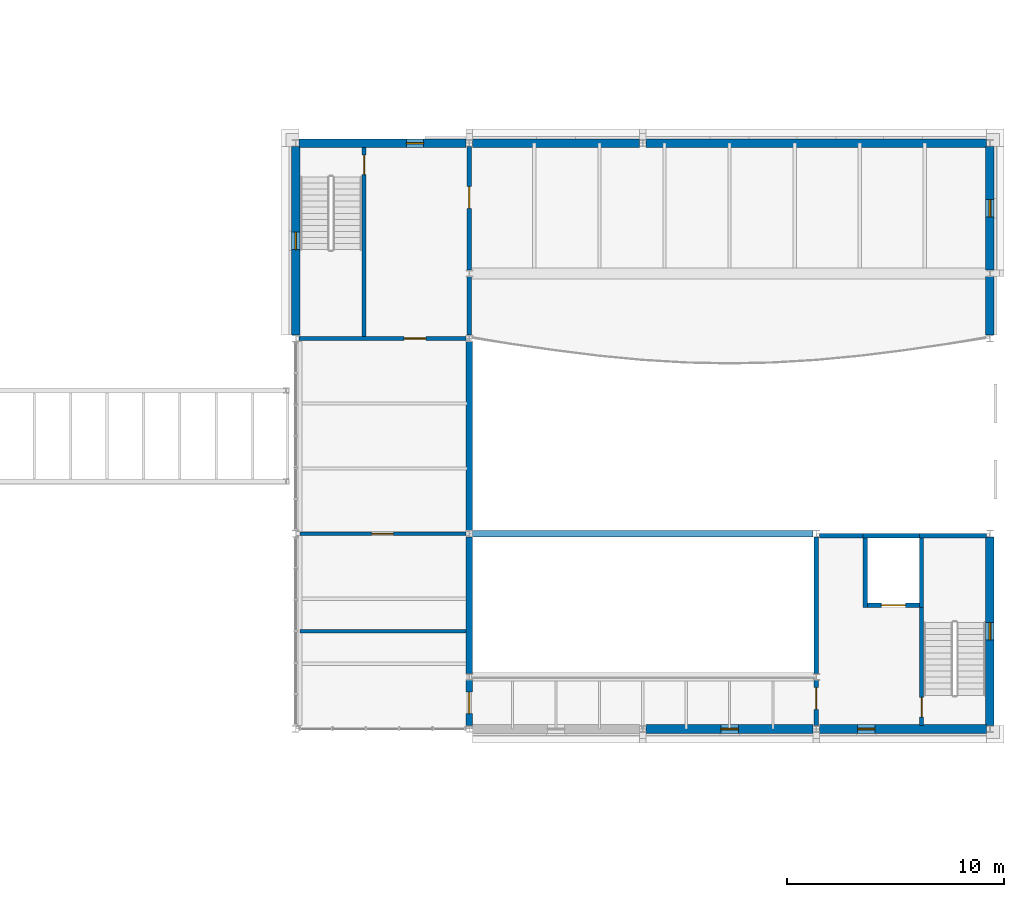
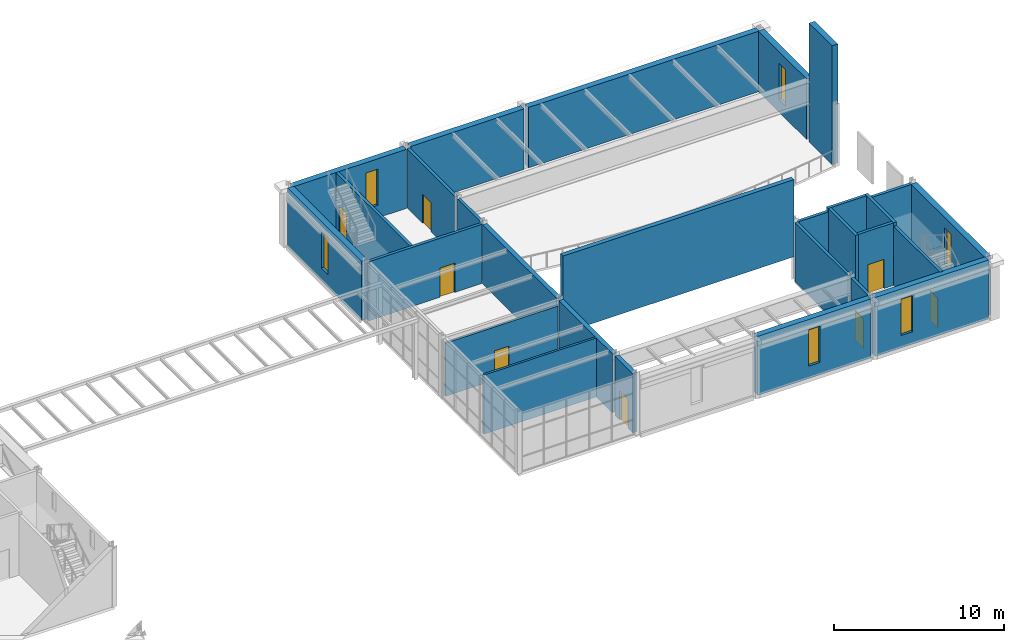
# One storey, part 108 of 153: 28 walls, 8 doors, 6 windows, 14 openings.
"""IFC4 building model written with IfcOpenShell, lengths in metres."""

import ifcopenshell
import ifcopenshell.guid

model = None  # the IFC model being written
_history = None  # IfcOwnerHistory: only IFC2X3 demands one
_inside = {}  # id of a spatial element -> (the spatial element, [elements in it])
_under = {}  # id of a project, library or spatial element -> (it, [spatial elements below it])
_declared = {}  # id of a project -> (the project, [libraries it declares])
_typed = {}  # id of a type object -> (the type object, [elements of that type])
_made_of = {}  # id of a material, layer set ... -> (it, [elements and type objects made of it])


def new_model(schema):
    """Start an empty IFC model of exactly this schema.

    Asked for "IFC4X3", IfcOpenShell would pick the latest addendum, in which some entities
    have other attributes; the version numbers below select the first issue.
    IFC2X3 requires an IfcOwnerHistory on every rooted entity: one is made here for all.
    """
    global model, _history
    if schema == "IFC4X3":
        model = ifcopenshell.file(schema_version=(4, 3, 0, 0))
    else:
        model = ifcopenshell.file(schema=schema)
    _inside.clear()
    _under.clear()
    _declared.clear()
    _typed.clear()
    _made_of.clear()
    _history = None
    if model.schema == "IFC2X3":
        org = make("IfcOrganization", Name="unknown")
        user = make(
            "IfcPersonAndOrganization",
            ThePerson=make("IfcPerson", FamilyName="unknown"),
            TheOrganization=org,
        )
        app = make(
            "IfcApplication",
            ApplicationDeveloper=org,
            Version="unknown",
            ApplicationFullName="unknown",
            ApplicationIdentifier="unknown",
        )
        _history = make(
            "IfcOwnerHistory",
            OwningUser=user,
            OwningApplication=app,
            ChangeAction="ADDED",
            CreationDate=0,
        )
    return model


def make(cls, **values):
    """One entity of the class cls with the attributes given. An attribute that is None is left unset."""
    return model.create_entity(
        cls, **{name: value for name, value in values.items() if value is not None}
    )


def rooted(cls, **values):
    """An entity with a GlobalId (a new one), such as an element, a storey or a relation."""
    return make(cls, GlobalId=ifcopenshell.guid.new(), OwnerHistory=_history, **values)


def si_unit(unit_type, name, prefix=None):
    """IfcSIUnit, for example si_unit("LENGTHUNIT", "METRE", prefix="MILLI")."""
    return make("IfcSIUnit", UnitType=unit_type, Prefix=prefix, Name=name)


def assignment(units):
    """IfcUnitAssignment: the units of a project."""
    return None if units is None else make("IfcUnitAssignment", Units=units)


def point(xyz):
    """IfcCartesianPoint."""
    return None if xyz is None else make("IfcCartesianPoint", Coordinates=xyz)


def direction(xyz):
    """IfcDirection."""
    return None if xyz is None else make("IfcDirection", DirectionRatios=xyz)


def frame(location, z_axis=None, x_axis=None):
    """IfcAxis2Placement3D, a coordinate frame: its origin and axes. An axis left out is left unset."""
    return make(
        "IfcAxis2Placement3D",
        Location=point(location),
        Axis=direction(z_axis),
        RefDirection=direction(x_axis),
    )


def frame_2d(location, x_axis=None):
    """IfcAxis2Placement2D, a coordinate frame in the plane: its origin and x axis."""
    return make(
        "IfcAxis2Placement2D", Location=point(location), RefDirection=direction(x_axis)
    )


def origin():
    """The frame at (0, 0, 0) with its axes left unset."""
    return frame((0.0, 0.0, 0.0))


def place(relative_to, where):
    """IfcLocalPlacement: puts the frame where relative to a parent placement (None: the world)."""
    return make(
        "IfcLocalPlacement", PlacementRelTo=relative_to, RelativePlacement=where
    )


def context(
    kind, dimensions, precision=None, world=None, true_north=None, identifier=None
):
    """IfcGeometricRepresentationContext, for example the 3D "Model" context."""
    return make(
        "IfcGeometricRepresentationContext",
        ContextIdentifier=identifier,
        ContextType=kind,
        CoordinateSpaceDimension=dimensions,
        Precision=precision,
        WorldCoordinateSystem=world,
        TrueNorth=true_north,
    )


def subcontext(parent, identifier, kind, view, scale=None):
    """IfcGeometricRepresentationSubContext, for example "Body" below "Model"."""
    return make(
        "IfcGeometricRepresentationSubContext",
        ContextIdentifier=identifier,
        ContextType=kind,
        ParentContext=parent,
        TargetScale=scale,
        TargetView=view,
    )


def project(units=None, contexts=None):
    """IfcProject with its units and contexts."""
    return rooted(
        "IfcProject",
        Name="project",
        RepresentationContexts=contexts,
        UnitsInContext=assignment(units),
    )


def spatial(cls, under=None, at=None, **own):
    """A site, building, storey or space (cls), placed at a placement, below another one or the project."""
    s = rooted(cls, ObjectPlacement=at, **own)
    if under is not None:
        _under.setdefault(under.id(), (under, []))[1].append(s)
    return s


def profile(cls, at=None, kind="AREA", **sizes):
    """A parametric profile (cls). Its sizes go by their IFC names, for example OverallWidth=200.0."""
    return make(cls, ProfileType=kind, Position=at, **sizes)


def rectangle(**sizes):
    """IfcRectangleProfileDef."""
    return profile("IfcRectangleProfileDef", **sizes)


def extrude(swept, where, along, depth):
    """IfcExtrudedAreaSolid: the profile swept, set in the frame where, extruded along a direction by depth."""
    return make(
        "IfcExtrudedAreaSolid",
        SweptArea=swept,
        Position=where,
        ExtrudedDirection=direction(along),
        Depth=depth,
    )


def shape(context_of_items, identifier, shape_type, items):
    """IfcShapeRepresentation: the items that make up one representation, for example the "Body"."""
    return make(
        "IfcShapeRepresentation",
        ContextOfItems=context_of_items,
        RepresentationIdentifier=identifier,
        RepresentationType=shape_type,
        Items=items,
    )


def material(Name=None, Category=None):
    """IfcMaterial."""
    return make("IfcMaterial", Name=Name, Category=Category)


def layer(
    of_material, thickness, ventilated=None, Name=None, Category=None, Priority=None
):
    """IfcMaterialLayer: one layer of a wall or slab, of a material (None: an air gap)."""
    return make(
        "IfcMaterialLayer",
        Material=of_material,
        LayerThickness=thickness,
        IsVentilated=ventilated,
        Name=Name,
        Category=Category,
        Priority=Priority,
    )


def layer_set(layers, Name=None):
    """IfcMaterialLayerSet."""
    return make("IfcMaterialLayerSet", MaterialLayers=layers, LayerSetName=Name)


def made_of(thing, what):
    """Note that an element or type object is made of a material, layer set ...; save() writes the relation."""
    if what is not None:
        _made_of.setdefault(what.id(), (what, []))[1].append(thing)
    return thing


def type_object(cls, material=None, **own):
    """A type object (cls), such as IfcWallType, which elements share."""
    return made_of(rooted(cls, **own), material)


def element(
    cls,
    number,
    at=None,
    inside=None,
    cuts=None,
    type_object=None,
    material=None,
    context=None,
    identifier="Body",
    shape_type=None,
    held_by="IfcProductDefinitionShape",
    body=None,
    shapes=None,
    **own,
):
    """One element of the class cls, such as IfcWall. Its Tag is "e" and its number.

    at: its placement. inside: the storey or other place that contains it. cuts: it is an
    opening in that element (IfcRelVoidsElement). A single representation is given by context,
    identifier, shape_type and body (its items); several are given by shapes. held_by: the class
    of the entity that holds the representations. save() writes the other relations.
    """
    e = rooted(cls, Tag="e%d" % number, ObjectPlacement=at, **own)
    if body is not None:
        shapes = [shape(context, identifier, shape_type, body)]
    if shapes is not None:
        e.Representation = make(held_by, Representations=shapes)
    if inside is not None:
        _inside.setdefault(inside.id(), (inside, []))[1].append(e)
    if cuts is not None:
        rooted(
            "IfcRelVoidsElement", RelatingBuildingElement=cuts, RelatedOpeningElement=e
        )
    if type_object is not None:
        _typed.setdefault(type_object.id(), (type_object, []))[1].append(e)
    return made_of(e, material)


def fill(opening, filler):
    """IfcRelFillsElement: the door or window that sits in an opening."""
    return rooted(
        "IfcRelFillsElement",
        RelatingOpeningElement=opening,
        RelatedBuildingElement=filler,
    )


def aggregate(whole, parts):
    """IfcRelAggregates: a whole, such as a stair, and the parts it consists of."""
    return rooted("IfcRelAggregates", RelatingObject=whole, RelatedObjects=parts)


def save(model, path):
    """Write the relations noted so far, then the file.

    IfcRelAggregates (storeys below a building ...), IfcRelContainedInSpatialStructure (elements
    in a storey), IfcRelDefinesByType, IfcRelAssociatesMaterial and IfcRelDeclares: one each for
    every whole, place, type object, material and project.
    """
    for whole, parts in _under.values():
        aggregate(whole, parts)
    for where, things in _inside.values():
        rooted(
            "IfcRelContainedInSpatialStructure",
            RelatedElements=things,
            RelatingStructure=where,
        )
    for kind, things in _typed.values():
        rooted("IfcRelDefinesByType", RelatedObjects=things, RelatingType=kind)
    for what, things in _made_of.values():
        rooted("IfcRelAssociatesMaterial", RelatedObjects=things, RelatingMaterial=what)
    for by, libraries in _declared.values():
        rooted("IfcRelDeclares", RelatingContext=by, RelatedDefinitions=libraries)
    model.write(path)


model = new_model("IFC4")

# Units and contexts
model_context = context("Model", 3, precision=1e-05, world=origin(), true_north=direction((0.0, 1.0)))
body_context = subcontext(model_context, "Body", "Model", "MODEL_VIEW")
ifc_project = project(units=[si_unit("LENGTHUNIT", "METRE"), si_unit("AREAUNIT", "SQUARE_METRE"), si_unit("VOLUMEUNIT", "CUBIC_METRE"), si_unit("PLANEANGLEUNIT", "RADIAN"), si_unit("MASSUNIT", "GRAM", prefix="KILO")], contexts=[model_context])

# Site, building, storey
site_placement = place(None, origin())
site = spatial("IfcSite", under=ifc_project, at=site_placement, CompositionType="ELEMENT")
building_placement = place(site_placement, origin())
building = spatial("IfcBuilding", under=site, at=building_placement, Name="Kallimachos Central Library", CompositionType="ELEMENT")
storey_placement = place(building_placement, frame((0.0, 0.0, 5.39990234375)))
storey = spatial("IfcBuildingStorey", under=building, at=storey_placement, Name="L01", CompositionType="ELEMENT", Elevation=5.39990234375)

# Wall
ifc_material_1 = material(Name="Concrete C30/37", Category="concrete")
ifc_layer_1 = layer(ifc_material_1, 0.199951171875)
ifc_layer_set_1 = layer_set([ifc_layer_1], Name="Core wall 200")
wall_type_1 = type_object("IfcWallType", Name="Core wall 200", PredefinedType="SOLIDWALL", material=ifc_layer_set_1)
wall_1_placement = place(storey_placement, frame((146.0, 105.14990234375, 0.0), z_axis=(0.0, 0.0, 1.0), x_axis=(0.0, 1.0, 0.0)))
element("IfcWall", 1, at=wall_1_placement, inside=storey, type_object=wall_type_1, Name="V3-WAL-L01-014", PredefinedType="SOLIDWALL", context=body_context, shape_type="SweptSolid", body=[
    extrude(rectangle(XDim=2.7001953125, YDim=0.199951171875, at=frame_2d((1.35009765625, 0.0))), origin(), (0.0, 0.0, 1.0), 4.25),
])

# Wall, opening, door
wall_2_placement = place(storey_placement, frame((146.0, 108.14990234375, 0.0), z_axis=(0.0, 0.0, 1.0), x_axis=(0.0, 1.0, 0.0)))
wall_2 = element("IfcWall", 2, at=wall_2_placement, inside=storey, type_object=wall_type_1, Name="V3-WAL-L01-015", PredefinedType="SOLIDWALL", context=body_context, shape_type="SweptSolid", body=[
    extrude(rectangle(XDim=5.7001953125, YDim=0.199951171875, at=frame_2d((2.85009765625, 0.0))), origin(), (0.0, 0.0, 1.0), 4.25),
])
opening_1_placement = place(wall_2_placement, frame((2.85009765625, 0.0, 0.0)))
opening_1 = element("IfcOpeningElement", 3, at=opening_1_placement, cuts=wall_2, Name="Opening D335", PredefinedType="OPENING", context=body_context, shape_type="SweptSolid", body=[
    extrude(rectangle(XDim=1.0, YDim=2.10009765625, at=frame_2d((0.5, 1.050048828125))), frame((0.0, 0.10986328125, 0.0), z_axis=(0.0, -1.0, 0.0), x_axis=(1.0, 0.0, 0.0)), (0.0, 0.0, 1.0), 0.219970703125),
])
ifc_material_2 = material(Name="Oak timber", Category="wood")
door_type_1 = type_object("IfcDoorType", Name="Single door 1000 x 2100", OperationType="NOTDEFINED", PredefinedType="DOOR", material=ifc_material_2)
door_1_placement = place(opening_1_placement, origin())
door_1 = element("IfcDoor", 4, at=door_1_placement, inside=storey, type_object=door_type_1, Name="Balcony door L01", OperationType="SINGLE_SWING_RIGHT", OverallHeight=2.10009765625, OverallWidth=1.0, PredefinedType="DOOR", context=body_context, shape_type="SweptSolid", body=[
    extrude(rectangle(XDim=1.0, YDim=2.10009765625, at=frame_2d((0.5, 1.050048828125))), frame((0.0, 0.02490234375, 0.0), z_axis=(0.0, -1.0, 0.0), x_axis=(1.0, 0.0, 0.0)), (0.0, 0.0, 1.0), 0.050048828125),
])
fill(opening_1, door_1)

wall_3_placement = place(storey_placement, frame((162.0, 87.14990234375, 0.0), z_axis=(0.0, 0.0, 1.0), x_axis=(0.0, 1.0, 0.0)))
wall_3 = element("IfcWall", 5, at=wall_3_placement, inside=storey, type_object=wall_type_1, Name="V3-WAL-L01-017", PredefinedType="SOLIDWALL", context=body_context, shape_type="SweptSolid", body=[
    extrude(rectangle(XDim=2.10009765625, YDim=0.199951171875, at=frame_2d((1.050048828125, 0.0))), origin(), (0.0, 0.0, 1.0), 4.25),
])
opening_2_placement = place(wall_3_placement, frame((0.75, 0.0, 0.0)))
opening_2 = element("IfcOpeningElement", 6, at=opening_2_placement, cuts=wall_3, Name="Opening D325", PredefinedType="OPENING", context=body_context, shape_type="SweptSolid", body=[
    extrude(rectangle(XDim=1.0, YDim=2.10009765625, at=frame_2d((0.5, 1.050048828125))), frame((0.0, 0.10986328125, 0.0), z_axis=(0.0, -1.0, 0.0), x_axis=(1.0, 0.0, 0.0)), (0.0, 0.0, 1.0), 0.219970703125),
])
door_2_placement = place(opening_2_placement, frame((1.0, 0.0, 0.0), z_axis=(0.0, 0.0, 1.0), x_axis=(-1.0, 0.0, 0.0)))
door_2 = element("IfcDoor", 7, at=door_2_placement, inside=storey, type_object=door_type_1, Name="Stage side door L01", OperationType="SINGLE_SWING_LEFT", OverallHeight=2.10009765625, OverallWidth=1.0, PredefinedType="DOOR", context=body_context, shape_type="SweptSolid", body=[
    extrude(rectangle(XDim=1.0, YDim=2.10009765625, at=frame_2d((0.5, 1.050048828125))), frame((0.0, 0.02490234375, 0.0), z_axis=(0.0, -1.0, 0.0), x_axis=(1.0, 0.0, 0.0)), (0.0, 0.0, 1.0), 0.050048828125),
])
fill(opening_2, door_2)

# Wall
wall_4_placement = place(storey_placement, frame((162.0, 89.550048828125, 0.0), z_axis=(0.0, 0.0, 1.0), x_axis=(0.0, 1.0, 0.0)))
element("IfcWall", 8, at=wall_4_placement, inside=storey, type_object=wall_type_1, Name="V3-WAL-L01-018", PredefinedType="SOLIDWALL", context=body_context, shape_type="SweptSolid", body=[
    extrude(rectangle(XDim=6.300048828125, YDim=0.199951171875, at=frame_2d((3.14990234375, 0.0))), origin(), (0.0, 0.0, 1.0), 4.25),
])

# Wall, opening, door
wall_5_placement = place(storey_placement, frame((138.14990234375, 105.0, 0.0), z_axis=(0.0, 0.0, 1.0), x_axis=(1.0, 0.0, 0.0)))
wall_5 = element("IfcWall", 9, at=wall_5_placement, inside=storey, type_object=wall_type_1, Name="V3-WAL-L01-019", PredefinedType="SOLIDWALL", context=body_context, shape_type="SweptSolid", body=[
    extrude(rectangle(XDim=7.7001953125, YDim=0.199951171875, at=frame_2d((3.85009765625, 0.0))), origin(), (0.0, 0.0, 1.0), 4.25),
])
opening_3_placement = place(wall_5_placement, frame((4.85009765625, 0.0, 0.0)))
opening_3 = element("IfcOpeningElement", 10, at=opening_3_placement, cuts=wall_5, Name="Opening D327", PredefinedType="OPENING", context=body_context, shape_type="SweptSolid", body=[
    extrude(rectangle(XDim=1.0, YDim=2.10009765625, at=frame_2d((0.5, 1.050048828125))), frame((0.0, 0.10986328125, 0.0), z_axis=(0.0, -1.0, 0.0), x_axis=(1.0, 0.0, 0.0)), (0.0, 0.0, 1.0), 0.219970703125),
])
door_3_placement = place(opening_3_placement, origin())
door_3 = element("IfcDoor", 11, at=door_3_placement, inside=storey, type_object=door_type_1, Name="Stair lobby ST8 door L01", OperationType="SINGLE_SWING_RIGHT", OverallHeight=2.10009765625, OverallWidth=1.0, PredefinedType="DOOR", context=body_context, shape_type="SweptSolid", body=[
    extrude(rectangle(XDim=1.0, YDim=2.10009765625, at=frame_2d((0.5, 1.050048828125))), frame((0.0, 0.02490234375, 0.0), z_axis=(0.0, -1.0, 0.0), x_axis=(1.0, 0.0, 0.0)), (0.0, 0.0, 1.0), 0.050048828125),
])
fill(opening_3, door_3)

# Walls
wall_6_placement = place(storey_placement, frame((162.14990234375, 95.89990234375, 0.0), z_axis=(0.0, 0.0, 1.0), x_axis=(1.0, 0.0, 0.0)))
element("IfcWall", 12, at=wall_6_placement, inside=storey, type_object=wall_type_1, Name="V3-WAL-L01-020", PredefinedType="SOLIDWALL", context=body_context, shape_type="SweptSolid", body=[
    extrude(rectangle(XDim=2.0, YDim=0.199951171875, at=frame_2d((1.0, 0.0))), origin(), (0.0, 0.0, 1.0), 4.25),
])
wall_7_placement = place(storey_placement, frame((166.75, 95.89990234375, 0.0), z_axis=(0.0, 0.0, 1.0), x_axis=(1.0, 0.0, 0.0)))
element("IfcWall", 13, at=wall_7_placement, inside=storey, type_object=wall_type_1, Name="V3-WAL-L01-021", PredefinedType="SOLIDWALL", context=body_context, shape_type="SweptSolid", body=[
    extrude(rectangle(XDim=3.10009765625, YDim=0.199951171875, at=frame_2d((1.550048828125, 0.0))), origin(), (0.0, 0.0, 1.0), 4.25),
])

# Wall, opening, door
wall_8_placement = place(storey_placement, frame((166.85009765625, 87.14990234375, 0.0), z_axis=(0.0, 0.0, 1.0), x_axis=(0.0, 1.0, 0.0)))
wall_8 = element("IfcWall", 14, at=wall_8_placement, inside=storey, type_object=wall_type_1, Name="V3-WAL-L01-022", PredefinedType="SOLIDWALL", context=body_context, shape_type="SweptSolid", body=[
    extrude(rectangle(XDim=5.4501953125, YDim=0.199951171875, at=frame_2d((2.72509765625, 0.0))), origin(), (0.0, 0.0, 1.0), 4.25),
])
opening_4_placement = place(wall_8_placement, frame((0.39990234375, 0.0, 0.0)))
opening_4 = element("IfcOpeningElement", 15, at=opening_4_placement, cuts=wall_8, Name="Opening D326", PredefinedType="OPENING", context=body_context, shape_type="SweptSolid", body=[
    extrude(rectangle(XDim=0.89990234375, YDim=2.10009765625, at=frame_2d((0.449951171875, 1.050048828125))), frame((0.0, 0.10986328125, 0.0), z_axis=(0.0, -1.0, 0.0), x_axis=(1.0, 0.0, 0.0)), (0.0, 0.0, 1.0), 0.219970703125),
])
ifc_material_3 = material(Name="Steel", Category="steel")
door_type_2 = type_object("IfcDoorType", Name="Single door 900 x 2100", OperationType="NOTDEFINED", PredefinedType="DOOR", material=ifc_material_3)
door_4_placement = place(opening_4_placement, frame((0.89990234375, 0.0, 0.0), z_axis=(0.0, 0.0, 1.0), x_axis=(-1.0, 0.0, 0.0)))
door_4 = element("IfcDoor", 16, at=door_4_placement, inside=storey, type_object=door_type_2, Name="Stair ST7 door L01", OperationType="SINGLE_SWING_LEFT", OverallHeight=2.10009765625, OverallWidth=0.89990234375, PredefinedType="DOOR", context=body_context, shape_type="SweptSolid", body=[
    extrude(rectangle(XDim=0.89990234375, YDim=2.10009765625, at=frame_2d((0.449951171875, 1.050048828125))), frame((0.0, 0.02490234375, 0.0), z_axis=(0.0, -1.0, 0.0), x_axis=(1.0, 0.0, 0.0)), (0.0, 0.0, 1.0), 0.050048828125),
])
fill(opening_4, door_4)

wall_9_placement = place(storey_placement, frame((141.14990234375, 105.10009765625, 0.0), z_axis=(0.0, 0.0, 1.0), x_axis=(0.0, 1.0, 0.0)))
wall_9 = element("IfcWall", 17, at=wall_9_placement, inside=storey, type_object=wall_type_1, Name="V3-WAL-L01-023", PredefinedType="SOLIDWALL", context=body_context, shape_type="SweptSolid", body=[
    extrude(rectangle(XDim=8.699951171875, YDim=0.199951171875, at=frame_2d((4.35009765625, 0.0))), origin(), (0.0, 0.0, 1.0), 4.25),
])
opening_5_placement = place(wall_9_placement, frame((7.449951171875, 0.0, 0.0)))
opening_5 = element("IfcOpeningElement", 18, at=opening_5_placement, cuts=wall_9, Name="Opening D328", PredefinedType="OPENING", context=body_context, shape_type="SweptSolid", body=[
    extrude(rectangle(XDim=0.89990234375, YDim=2.10009765625, at=frame_2d((0.449951171875, 1.050048828125))), frame((0.0, 0.10986328125, 0.0), z_axis=(0.0, -1.0, 0.0), x_axis=(1.0, 0.0, 0.0)), (0.0, 0.0, 1.0), 0.219970703125),
])
door_5_placement = place(opening_5_placement, origin())
door_5 = element("IfcDoor", 19, at=door_5_placement, inside=storey, type_object=door_type_2, Name="Stair ST8 door L01", OperationType="SINGLE_SWING_LEFT", OverallHeight=2.10009765625, OverallWidth=0.89990234375, PredefinedType="DOOR", context=body_context, shape_type="SweptSolid", body=[
    extrude(rectangle(XDim=0.89990234375, YDim=2.10009765625, at=frame_2d((0.449951171875, 1.050048828125))), frame((0.0, 0.02490234375, 0.0), z_axis=(0.0, -1.0, 0.0), x_axis=(1.0, 0.0, 0.0)), (0.0, 0.0, 1.0), 0.050048828125),
])
fill(opening_5, door_5)

# Wall
ifc_material_4 = material(Name="Concrete C30/37", Category="concrete")
ifc_layer_2 = layer(ifc_material_4, 0.300048828125)
ifc_layer_set_2 = layer_set([ifc_layer_2], Name="Hall wall 300")
wall_type_2 = type_object("IfcWallType", Name="Hall wall 300", PredefinedType="SOLIDWALL", material=ifc_layer_set_2)
wall_10_placement = place(storey_placement, frame((146.14990234375, 96.0, 1.800048828125), z_axis=(0.0, 0.0, 1.0), x_axis=(1.0, 0.0, 0.0)))
element("IfcWall", 20, at=wall_10_placement, inside=storey, type_object=wall_type_2, Name="V3-WAL-L01-016", PredefinedType="SOLIDWALL", context=body_context, shape_type="SweptSolid", body=[
    extrude(rectangle(XDim=15.7001953125, YDim=0.300048828125, at=frame_2d((7.85009765625, 0.0))), origin(), (0.0, 0.0, 1.0), 5.550048828125),
])

# Wall, opening, door
ifc_material_5 = material(Name="Concrete C30/37", Category="concrete")
ifc_layer_3 = layer(ifc_material_5, 0.300048828125)
ifc_layer_set_3 = layer_set([ifc_layer_3], Name="Hall wall 300, load-bearing")
wall_type_3 = type_object("IfcWallType", Name="Hall wall 300, load-bearing", PredefinedType="SOLIDWALL", material=ifc_layer_set_3)
wall_11_placement = place(storey_placement, frame((146.0, 87.14990234375, 0.0), z_axis=(0.0, 0.0, 1.0), x_axis=(0.0, 1.0, 0.0)))
wall_11 = element("IfcWall", 21, at=wall_11_placement, inside=storey, type_object=wall_type_3, Name="V3-WAL-L01-011", PredefinedType="SOLIDWALL", context=body_context, shape_type="SweptSolid", body=[
    extrude(rectangle(XDim=2.10009765625, YDim=0.300048828125, at=frame_2d((1.050048828125, 0.0))), origin(), (0.0, 0.0, 1.0), 4.25),
])
opening_6_placement = place(wall_11_placement, frame((0.550048828125, 0.0, 0.0)))
opening_6 = element("IfcOpeningElement", 22, at=opening_6_placement, cuts=wall_11, Name="Opening D337", PredefinedType="OPENING", context=body_context, shape_type="SweptSolid", body=[
    extrude(rectangle(XDim=1.0, YDim=2.10009765625, at=frame_2d((0.5, 1.050048828125))), frame((0.0, 0.159912109375, 0.0), z_axis=(0.0, -1.0, 0.0), x_axis=(1.0, 0.0, 0.0)), (0.0, 0.0, 1.0), 0.320068359375),
])
door_6_placement = place(opening_6_placement, origin())
door_6 = element("IfcDoor", 23, at=door_6_placement, inside=storey, type_object=door_type_1, Name="Backstage door L01", OperationType="SINGLE_SWING_RIGHT", OverallHeight=2.10009765625, OverallWidth=1.0, PredefinedType="DOOR", context=body_context, shape_type="SweptSolid", body=[
    extrude(rectangle(XDim=1.0, YDim=2.10009765625, at=frame_2d((0.5, 1.050048828125))), frame((0.0, 0.02490234375, 0.0), z_axis=(0.0, -1.0, 0.0), x_axis=(1.0, 0.0, 0.0)), (0.0, 0.0, 1.0), 0.050048828125),
])
fill(opening_6, door_6)

# Walls
wall_12_placement = place(storey_placement, frame((146.0, 89.550048828125, 0.0), z_axis=(0.0, 0.0, 1.0), x_axis=(0.0, 1.0, 0.0)))
element("IfcWall", 24, at=wall_12_placement, inside=storey, type_object=wall_type_3, Name="V3-WAL-L01-012", PredefinedType="SOLIDWALL", context=body_context, shape_type="SweptSolid", body=[
    extrude(rectangle(XDim=6.300048828125, YDim=0.300048828125, at=frame_2d((3.14990234375, 0.0))), origin(), (0.0, 0.0, 1.0), 4.25),
])
wall_13_placement = place(storey_placement, frame((146.0, 96.14990234375, 0.0), z_axis=(0.0, 0.0, 1.0), x_axis=(0.0, 1.0, 0.0)))
element("IfcWall", 25, at=wall_13_placement, inside=storey, type_object=wall_type_3, Name="V3-WAL-L01-013", PredefinedType="SOLIDWALL", context=body_context, shape_type="SweptSolid", body=[
    extrude(rectangle(XDim=8.7001953125, YDim=0.300048828125, at=frame_2d((4.35009765625, 0.0))), origin(), (0.0, 0.0, 1.0), 4.25),
])
ifc_material_6 = material(Name="Concrete C30/37", Category="concrete")
ifc_layer_4 = layer(ifc_material_6, 0.199951171875)
ifc_layer_set_4 = layer_set([ifc_layer_4], Name="Lift shaft wall 200")
wall_type_4 = type_object("IfcWallType", Name="Lift shaft wall 200", PredefinedType="SOLIDWALL", material=ifc_layer_set_4)
wall_14_placement = place(storey_placement, frame((164.14990234375, 95.89990234375, 0.0), z_axis=(0.0, 0.0, 1.0), x_axis=(1.0, 0.0, 0.0)))
element("IfcWall", 26, at=wall_14_placement, inside=storey, type_object=wall_type_4, Name="V3-WAL-L01-024", PredefinedType="SOLIDWALL", context=body_context, shape_type="SweptSolid", body=[
    extrude(rectangle(XDim=2.60009765625, YDim=0.199951171875, at=frame_2d((1.300048828125, 0.0))), origin(), (0.0, 0.0, 1.0), 4.5),
])

# Wall, opening, door
wall_15_placement = place(storey_placement, frame((164.35009765625, 92.699951171875, 0.0), z_axis=(0.0, 0.0, 1.0), x_axis=(1.0, 0.0, 0.0)))
wall_15 = element("IfcWall", 27, at=wall_15_placement, inside=storey, type_object=wall_type_4, Name="V3-WAL-L01-025", PredefinedType="SOLIDWALL", context=body_context, shape_type="SweptSolid", body=[
    extrude(rectangle(XDim=2.39990234375, YDim=0.199951171875, at=frame_2d((1.199951171875, 0.0))), origin(), (0.0, 0.0, 1.0), 4.5),
])
opening_7_placement = place(wall_15_placement, frame((0.64990234375, 0.0, 0.0)))
opening_7 = element("IfcOpeningElement", 28, at=opening_7_placement, cuts=wall_15, Name="Opening LD1100", PredefinedType="OPENING", context=body_context, shape_type="SweptSolid", body=[
    extrude(rectangle(XDim=1.10009765625, YDim=2.10009765625, at=frame_2d((0.550048828125, 1.050048828125))), frame((0.0, 0.10986328125, 0.0), z_axis=(0.0, -1.0, 0.0), x_axis=(1.0, 0.0, 0.0)), (0.0, 0.0, 1.0), 0.219970703125),
])
ifc_material_7 = material(Name="Stainless steel", Category="steel")
door_type_3 = type_object("IfcDoorType", Name="Lift landing door 1100 x 2100", OperationType="SLIDING_TO_LEFT", PredefinedType="DOOR", material=ifc_material_7)
door_7_placement = place(opening_7_placement, origin())
door_7 = element("IfcDoor", 29, at=door_7_placement, inside=storey, type_object=door_type_3, Name="LF6 landing door L01", OperationType="SLIDING_TO_LEFT", OverallHeight=2.10009765625, OverallWidth=1.10009765625, PredefinedType="DOOR", context=body_context, shape_type="SweptSolid", body=[
    extrude(rectangle(XDim=1.10009765625, YDim=2.10009765625, at=frame_2d((0.550048828125, 1.050048828125))), frame((0.0, 0.02490234375, 0.0), z_axis=(0.0, -1.0, 0.0), x_axis=(1.0, 0.0, 0.0)), (0.0, 0.0, 1.0), 0.050048828125),
])
fill(opening_7, door_7)

# Walls
for number, where, z_axis, x_axis, name in (
    (30, (164.25, 92.60009765625, 0.0), (0.0, 0.0, 1.0), (0.0, 1.0, 0.0), "V3-WAL-L01-026"),
    (31, (166.85009765625, 92.60009765625, 0.0), (0.0, 0.0, 1.0), (0.0, 1.0, 0.0), "V3-WAL-L01-027"),
):
    element("IfcWall", number, at=place(storey_placement, frame(where, z_axis=z_axis, x_axis=x_axis)), inside=storey, type_object=wall_type_4, Name=name, PredefinedType="SOLIDWALL", context=body_context, shape_type="SweptSolid", body=[
        extrude(rectangle(XDim=3.39990234375, YDim=0.199951171875, at=frame_2d((1.699951171875, 0.0))), origin(), (0.0, 0.0, 1.0), 4.5),
    ])

# Wall, opening, door
ifc_material_8 = material(Name="Gypsum board on steel studs", Category="steel")
ifc_layer_5 = layer(ifc_material_8, 0.14990234375)
ifc_layer_set_5 = layer_set([ifc_layer_5], Name="Partition wall 150")
wall_type_5 = type_object("IfcWallType", Name="Partition wall 150", PredefinedType="PARTITIONING", material=ifc_layer_set_5)
wall_16_placement = place(storey_placement, frame((138.199951171875, 96.0, 0.0), z_axis=(0.0, 0.0, 1.0), x_axis=(1.0, 0.0, 0.0)))
wall_16 = element("IfcWall", 32, at=wall_16_placement, inside=storey, type_object=wall_type_5, Name="V3-WAL-L01-028", PredefinedType="PARTITIONING", context=body_context, shape_type="SweptSolid", body=[
    extrude(rectangle(XDim=7.650146484375, YDim=0.14990234375, at=frame_2d((3.8251953125, 0.0))), origin(), (0.0, 0.0, 1.0), 3.820068359375),
])
opening_8_placement = place(wall_16_placement, frame((3.300048828125, 0.0, 0.0)))
opening_8 = element("IfcOpeningElement", 33, at=opening_8_placement, cuts=wall_16, Name="Opening D338", PredefinedType="OPENING", context=body_context, shape_type="SweptSolid", body=[
    extrude(rectangle(XDim=1.0, YDim=2.10009765625, at=frame_2d((0.5, 1.050048828125))), frame((0.0, 0.0849609375, 0.0), z_axis=(0.0, -1.0, 0.0), x_axis=(1.0, 0.0, 0.0)), (0.0, 0.0, 1.0), 0.169921875),
])
ifc_material_9 = material(Name="Oak timber", Category="wood")
door_type_4 = type_object("IfcDoorType", Name="Single door 1000 x 2100, EI2 30", OperationType="NOTDEFINED", PredefinedType="DOOR", material=ifc_material_9)
door_8_placement = place(opening_8_placement, frame((1.0, 0.0, 0.0), z_axis=(0.0, 0.0, 1.0), x_axis=(-1.0, 0.0, 0.0)))
door_8 = element("IfcDoor", 34, at=door_8_placement, inside=storey, type_object=door_type_4, Name="Foyer door L01", OperationType="SINGLE_SWING_LEFT", OverallHeight=2.10009765625, OverallWidth=1.0, PredefinedType="DOOR", context=body_context, shape_type="SweptSolid", body=[
    extrude(rectangle(XDim=1.0, YDim=2.10009765625, at=frame_2d((0.5, 1.050048828125))), frame((0.0, 0.02490234375, 0.0), z_axis=(0.0, -1.0, 0.0), x_axis=(1.0, 0.0, 0.0)), (0.0, 0.0, 1.0), 0.050048828125),
])
fill(opening_8, door_8)

# Wall
wall_17_placement = place(storey_placement, frame((138.199951171875, 91.5, 0.0), z_axis=(0.0, 0.0, 1.0), x_axis=(1.0, 0.0, 0.0)))
element("IfcWall", 35, at=wall_17_placement, inside=storey, type_object=wall_type_5, Name="V3-WAL-L01-029", PredefinedType="PARTITIONING", context=body_context, shape_type="SweptSolid", body=[
    extrude(rectangle(XDim=7.650146484375, YDim=0.14990234375, at=frame_2d((3.8251953125, 0.0))), origin(), (0.0, 0.0, 1.0), 4.25),
])

# Wall, opening, window
ifc_material_10 = material(Name="Concrete C30/37", Category="concrete")
ifc_layer_6 = layer(ifc_material_10, 0.39990234375)
ifc_layer_set_6 = layer_set([ifc_layer_6], Name="Stone-clad wall 400")
wall_type_6 = type_object("IfcWallType", Name="Stone-clad wall 400", PredefinedType="SOLIDWALL", material=ifc_layer_set_6)
wall_18_placement = place(storey_placement, frame((138.0, 105.14990234375, 0.0), z_axis=(0.0, 0.0, 1.0), x_axis=(0.0, 1.0, 0.0)))
wall_18 = element("IfcWall", 36, at=wall_18_placement, inside=storey, type_object=wall_type_6, Name="V3-WAL-L01-001", PredefinedType="SOLIDWALL", context=body_context, shape_type="SweptSolid", body=[
    extrude(rectangle(XDim=8.7001953125, YDim=0.39990234375, at=frame_2d((4.35009765625, 0.0))), origin(), (0.0, 0.0, 1.0), 4.25),
])
opening_9_placement = place(wall_18_placement, frame((3.949951171875, 0.0, 0.89990234375)))
opening_9 = element("IfcOpeningElement", 37, at=opening_9_placement, cuts=wall_18, Name="Opening W79", PredefinedType="OPENING", context=body_context, shape_type="SweptSolid", body=[
    extrude(rectangle(XDim=0.800048828125, YDim=2.60009765625, at=frame_2d((0.39990234375, 1.300048828125))), frame((0.0, 0.2099609375, 0.0), z_axis=(0.0, -1.0, 0.0), x_axis=(1.0, 0.0, 0.0)), (0.0, 0.0, 1.0), 0.419921875),
])
ifc_material_11 = material(Name="Anodised aluminium and laminated glass", Category="aluminium")
window_type = type_object("IfcWindowType", Name="Slot window 800 x 2600", PartitioningType="SINGLE_PANEL", PredefinedType="WINDOW", material=ifc_material_11)
window_1_placement = place(opening_9_placement, origin())
window_1 = element("IfcWindow", 38, at=window_1_placement, inside=storey, type_object=window_type, Name="V3-WIN-L01-001", OverallHeight=2.60009765625, OverallWidth=0.800048828125, PartitioningType="SINGLE_PANEL", PredefinedType="WINDOW", context=body_context, shape_type="SweptSolid", body=[
    extrude(rectangle(XDim=0.800048828125, YDim=2.60009765625, at=frame_2d((0.39990234375, 1.300048828125))), frame((0.0, 0.030029296875, 0.0), z_axis=(0.0, -1.0, 0.0), x_axis=(1.0, 0.0, 0.0)), (0.0, 0.0, 1.0), 0.06005859375),
])
fill(opening_9, window_1)

wall_19_placement = place(storey_placement, frame((170.0, 87.14990234375, 0.0), z_axis=(0.0, 0.0, 1.0), x_axis=(0.0, 1.0, 0.0)))
wall_19 = element("IfcWall", 39, at=wall_19_placement, inside=storey, type_object=wall_type_6, Name="V3-WAL-L01-002", PredefinedType="SOLIDWALL", context=body_context, shape_type="SweptSolid", body=[
    extrude(rectangle(XDim=8.7001953125, YDim=0.39990234375, at=frame_2d((4.35009765625, 0.0))), origin(), (0.0, 0.0, 1.0), 4.25),
])
opening_10_placement = place(wall_19_placement, frame((3.949951171875, 0.0, 0.89990234375)))
opening_10 = element("IfcOpeningElement", 40, at=opening_10_placement, cuts=wall_19, Name="Opening W79", PredefinedType="OPENING", context=body_context, shape_type="SweptSolid", body=[
    extrude(rectangle(XDim=0.800048828125, YDim=2.60009765625, at=frame_2d((0.39990234375, 1.300048828125))), frame((0.0, 0.2099609375, 0.0), z_axis=(0.0, -1.0, 0.0), x_axis=(1.0, 0.0, 0.0)), (0.0, 0.0, 1.0), 0.419921875),
])
window_2_placement = place(opening_10_placement, origin())
window_2 = element("IfcWindow", 41, at=window_2_placement, inside=storey, type_object=window_type, Name="V3-WIN-L01-002", OverallHeight=2.60009765625, OverallWidth=0.800048828125, PartitioningType="SINGLE_PANEL", PredefinedType="WINDOW", context=body_context, shape_type="SweptSolid", body=[
    extrude(rectangle(XDim=0.800048828125, YDim=2.60009765625, at=frame_2d((0.39990234375, 1.300048828125))), frame((0.0, 0.030029296875, 0.0), z_axis=(0.0, -1.0, 0.0), x_axis=(1.0, 0.0, 0.0)), (0.0, 0.0, 1.0), 0.06005859375),
])
fill(opening_10, window_2)

# Wall
wall_20_placement = place(storey_placement, frame((170.0, 105.14990234375, 0.0), z_axis=(0.0, 0.0, 1.0), x_axis=(0.0, 1.0, 0.0)))
element("IfcWall", 42, at=wall_20_placement, inside=storey, type_object=wall_type_6, Name="V3-WAL-L01-003", PredefinedType="SOLIDWALL", context=body_context, shape_type="SweptSolid", body=[
    extrude(rectangle(XDim=2.7001953125, YDim=0.39990234375, at=frame_2d((1.35009765625, 0.0))), origin(), (0.0, 0.0, 1.0), 8.550048828125),
])

# Wall, opening, window
wall_21_placement = place(storey_placement, frame((170.0, 108.14990234375, 0.0), z_axis=(0.0, 0.0, 1.0), x_axis=(0.0, 1.0, 0.0)))
wall_21 = element("IfcWall", 43, at=wall_21_placement, inside=storey, type_object=wall_type_6, Name="V3-WAL-L01-004", PredefinedType="SOLIDWALL", context=body_context, shape_type="SweptSolid", body=[
    extrude(rectangle(XDim=5.7001953125, YDim=0.39990234375, at=frame_2d((2.85009765625, 0.0))), origin(), (0.0, 0.0, 1.0), 4.35009765625),
])
opening_11_placement = place(wall_21_placement, frame((2.449951171875, 0.0, 0.89990234375)))
opening_11 = element("IfcOpeningElement", 44, at=opening_11_placement, cuts=wall_21, Name="Opening W79", PredefinedType="OPENING", context=body_context, shape_type="SweptSolid", body=[
    extrude(rectangle(XDim=0.800048828125, YDim=2.60009765625, at=frame_2d((0.39990234375, 1.300048828125))), frame((0.0, 0.2099609375, 0.0), z_axis=(0.0, -1.0, 0.0), x_axis=(1.0, 0.0, 0.0)), (0.0, 0.0, 1.0), 0.419921875),
])
window_3_placement = place(opening_11_placement, origin())
window_3 = element("IfcWindow", 45, at=window_3_placement, inside=storey, type_object=window_type, Name="V3-WIN-L01-007", OverallHeight=2.60009765625, OverallWidth=0.800048828125, PartitioningType="SINGLE_PANEL", PredefinedType="WINDOW", context=body_context, shape_type="SweptSolid", body=[
    extrude(rectangle(XDim=0.800048828125, YDim=2.60009765625, at=frame_2d((0.39990234375, 1.300048828125))), frame((0.0, 0.030029296875, 0.0), z_axis=(0.0, -1.0, 0.0), x_axis=(1.0, 0.0, 0.0)), (0.0, 0.0, 1.0), 0.06005859375),
])
fill(opening_11, window_3)

wall_22_placement = place(storey_placement, frame((154.14990234375, 87.0, 0.0), z_axis=(0.0, 0.0, 1.0), x_axis=(1.0, 0.0, 0.0)))
wall_22 = element("IfcWall", 46, at=wall_22_placement, inside=storey, type_object=wall_type_6, Name="V3-WAL-L01-006", PredefinedType="SOLIDWALL", context=body_context, shape_type="SweptSolid", body=[
    extrude(rectangle(XDim=7.7001953125, YDim=0.39990234375, at=frame_2d((3.85009765625, 0.0))), origin(), (0.0, 0.0, 1.0), 4.25),
])
opening_12_placement = place(wall_22_placement, frame((3.449951171875, 0.0, 0.89990234375)))
opening_12 = element("IfcOpeningElement", 47, at=opening_12_placement, cuts=wall_22, Name="Opening W79", PredefinedType="OPENING", context=body_context, shape_type="SweptSolid", body=[
    extrude(rectangle(XDim=0.800048828125, YDim=2.60009765625, at=frame_2d((0.39990234375, 1.300048828125))), frame((0.0, 0.2099609375, 0.0), z_axis=(0.0, -1.0, 0.0), x_axis=(1.0, 0.0, 0.0)), (0.0, 0.0, 1.0), 0.419921875),
])
window_4_placement = place(opening_12_placement, origin())
window_4 = element("IfcWindow", 48, at=window_4_placement, inside=storey, type_object=window_type, Name="V3-WIN-L01-004", OverallHeight=2.60009765625, OverallWidth=0.800048828125, PartitioningType="SINGLE_PANEL", PredefinedType="WINDOW", context=body_context, shape_type="SweptSolid", body=[
    extrude(rectangle(XDim=0.800048828125, YDim=2.60009765625, at=frame_2d((0.39990234375, 1.300048828125))), frame((0.0, 0.030029296875, 0.0), z_axis=(0.0, -1.0, 0.0), x_axis=(1.0, 0.0, 0.0)), (0.0, 0.0, 1.0), 0.06005859375),
])
fill(opening_12, window_4)

wall_23_placement = place(storey_placement, frame((162.14990234375, 87.0, 0.0), z_axis=(0.0, 0.0, 1.0), x_axis=(1.0, 0.0, 0.0)))
wall_23 = element("IfcWall", 49, at=wall_23_placement, inside=storey, type_object=wall_type_6, Name="V3-WAL-L01-007", PredefinedType="SOLIDWALL", context=body_context, shape_type="SweptSolid", body=[
    extrude(rectangle(XDim=7.7001953125, YDim=0.39990234375, at=frame_2d((3.85009765625, 0.0))), origin(), (0.0, 0.0, 1.0), 4.25),
])
opening_13_placement = place(wall_23_placement, frame((1.75, 0.0, 0.89990234375)))
opening_13 = element("IfcOpeningElement", 50, at=opening_13_placement, cuts=wall_23, Name="Opening W79", PredefinedType="OPENING", context=body_context, shape_type="SweptSolid", body=[
    extrude(rectangle(XDim=0.800048828125, YDim=2.60009765625, at=frame_2d((0.39990234375, 1.300048828125))), frame((0.0, 0.2099609375, 0.0), z_axis=(0.0, -1.0, 0.0), x_axis=(1.0, 0.0, 0.0)), (0.0, 0.0, 1.0), 0.419921875),
])
window_5_placement = place(opening_13_placement, origin())
window_5 = element("IfcWindow", 51, at=window_5_placement, inside=storey, type_object=window_type, Name="V3-WIN-L01-005", OverallHeight=2.60009765625, OverallWidth=0.800048828125, PartitioningType="SINGLE_PANEL", PredefinedType="WINDOW", context=body_context, shape_type="SweptSolid", body=[
    extrude(rectangle(XDim=0.800048828125, YDim=2.60009765625, at=frame_2d((0.39990234375, 1.300048828125))), frame((0.0, 0.030029296875, 0.0), z_axis=(0.0, -1.0, 0.0), x_axis=(1.0, 0.0, 0.0)), (0.0, 0.0, 1.0), 0.06005859375),
])
fill(opening_13, window_5)

wall_24_placement = place(storey_placement, frame((138.14990234375, 114.0, 0.0), z_axis=(0.0, 0.0, 1.0), x_axis=(1.0, 0.0, 0.0)))
wall_24 = element("IfcWall", 52, at=wall_24_placement, inside=storey, type_object=wall_type_6, Name="V3-WAL-L01-008", PredefinedType="SOLIDWALL", context=body_context, shape_type="SweptSolid", body=[
    extrude(rectangle(XDim=7.7001953125, YDim=0.39990234375, at=frame_2d((3.85009765625, 0.0))), origin(), (0.0, 0.0, 1.0), 4.25),
])
opening_14_placement = place(wall_24_placement, frame((4.949951171875, 0.0, 0.89990234375)))
opening_14 = element("IfcOpeningElement", 53, at=opening_14_placement, cuts=wall_24, Name="Opening W79", PredefinedType="OPENING", context=body_context, shape_type="SweptSolid", body=[
    extrude(rectangle(XDim=0.800048828125, YDim=2.60009765625, at=frame_2d((0.39990234375, 1.300048828125))), frame((0.0, 0.2099609375, 0.0), z_axis=(0.0, -1.0, 0.0), x_axis=(1.0, 0.0, 0.0)), (0.0, 0.0, 1.0), 0.419921875),
])
window_6_placement = place(opening_14_placement, origin())
window_6 = element("IfcWindow", 54, at=window_6_placement, inside=storey, type_object=window_type, Name="V3-WIN-L01-006", OverallHeight=2.60009765625, OverallWidth=0.800048828125, PartitioningType="SINGLE_PANEL", PredefinedType="WINDOW", context=body_context, shape_type="SweptSolid", body=[
    extrude(rectangle(XDim=0.800048828125, YDim=2.60009765625, at=frame_2d((0.39990234375, 1.300048828125))), frame((0.0, 0.030029296875, 0.0), z_axis=(0.0, -1.0, 0.0), x_axis=(1.0, 0.0, 0.0)), (0.0, 0.0, 1.0), 0.06005859375),
])
fill(opening_14, window_6)

# Walls
wall_25_placement = place(storey_placement, frame((146.14990234375, 114.0, 0.0), z_axis=(0.0, 0.0, 1.0), x_axis=(1.0, 0.0, 0.0)))
element("IfcWall", 55, at=wall_25_placement, inside=storey, type_object=wall_type_6, Name="V3-WAL-L01-009", PredefinedType="SOLIDWALL", context=body_context, shape_type="SweptSolid", body=[
    extrude(rectangle(XDim=7.7001953125, YDim=0.39990234375, at=frame_2d((3.85009765625, 0.0))), origin(), (0.0, 0.0, 1.0), 4.35009765625),
])
wall_26_placement = place(storey_placement, frame((154.14990234375, 114.0, 0.0), z_axis=(0.0, 0.0, 1.0), x_axis=(1.0, 0.0, 0.0)))
element("IfcWall", 56, at=wall_26_placement, inside=storey, type_object=wall_type_6, Name="V3-WAL-L01-010", PredefinedType="SOLIDWALL", context=body_context, shape_type="SweptSolid", body=[
    extrude(rectangle(XDim=15.7001953125, YDim=0.39990234375, at=frame_2d((7.85009765625, 0.0))), origin(), (0.0, 0.0, 1.0), 4.35009765625),
])

save(model, "model.ifc")
